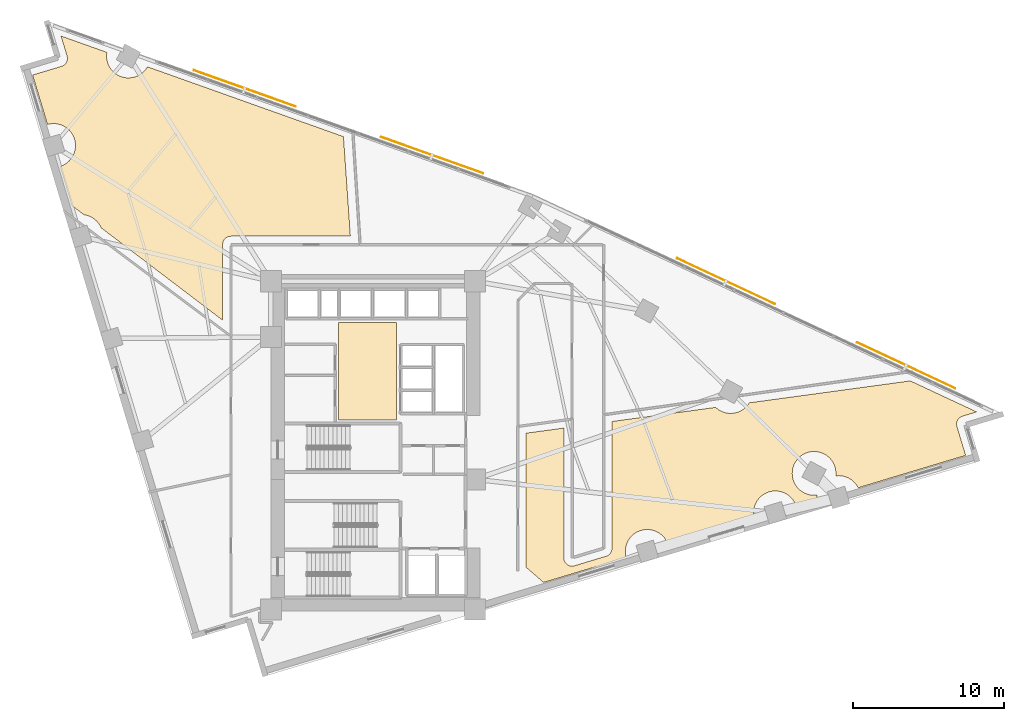
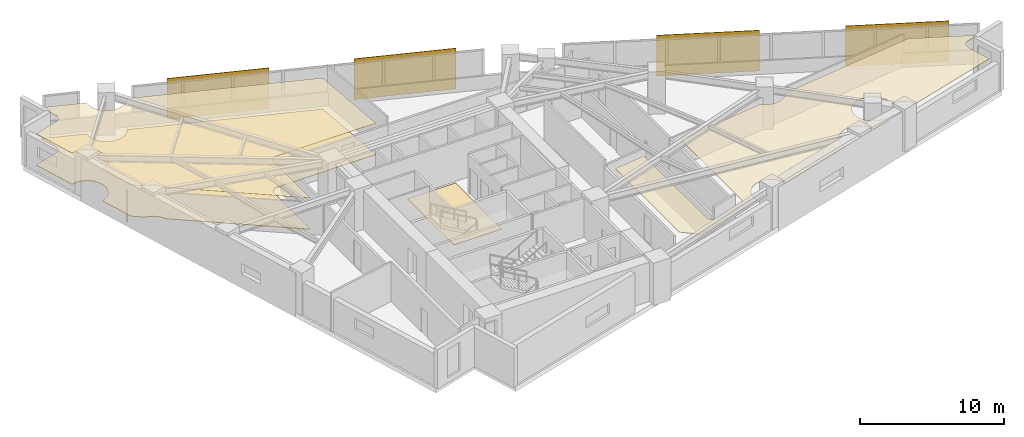
# One storey, part 16 of 16: 4 coverings, 4 shading devices.
"""IFC4 building model written with IfcOpenShell, lengths in metres."""

from ifc_helpers import new_model, si_unit, direction, frame, origin, origin_2d, place, context, subcontext, project, spatial, polyline, rectangle, outline, extrude, material, layer, layer_set, type_object, element, save


model = new_model("IFC4")

# Units and contexts
model_context = context("Model", 3, precision=1e-05, world=origin(), true_north=direction((0.0, 1.0)))
body_context = subcontext(model_context, "Body", "Model", "MODEL_VIEW")
ifc_project = project(units=[si_unit("LENGTHUNIT", "METRE"), si_unit("AREAUNIT", "SQUARE_METRE"), si_unit("VOLUMEUNIT", "CUBIC_METRE"), si_unit("PLANEANGLEUNIT", "RADIAN"), si_unit("MASSUNIT", "GRAM", prefix="KILO")], contexts=[model_context])

# Site, building, storey
site_placement = place(None, origin())
site = spatial("IfcSite", under=ifc_project, at=site_placement, CompositionType="ELEMENT")
building_placement = place(site_placement, origin())
building = spatial("IfcBuilding", under=site, at=building_placement, Name="Narakoshi Arena Tower", CompositionType="ELEMENT")
storey_placement = place(building_placement, frame((0.0, 0.0, 132.300048828125)))
storey = spatial("IfcBuildingStorey", under=building, at=storey_placement, Name="L35", CompositionType="ELEMENT", Elevation=132.300048828125)

# Coverings
ifc_material_1 = material(Name="Acoustic mineral-fibre ceiling tile")
ifc_layer_1 = layer(ifc_material_1, 0.02001953125)
ifc_layer_set_1 = layer_set([ifc_layer_1], Name="Acoustic mineral-fibre ceiling tile")
covering_type_1 = type_object("IfcCoveringType", Name="COV-CLG-AC20", PredefinedType="CEILING", material=ifc_layer_set_1)
covering_1_placement = place(storey_placement, frame((0.0, 0.0, 2.669921875)))
element("IfcCovering", 1, at=covering_1_placement, inside=storey, type_object=covering_type_1, Name="L35 Suspended Acoustic Ceiling 1", PredefinedType="CEILING", context=body_context, shape_type="SweptSolid", body=[
    extrude(outline(polyline([(58.1015625, 70.76611328125), (58.15234375, 70.7841796875), (58.201171875, 70.80712890625), (58.24755859375, 70.834716796875), (58.291015625, 70.86669921875), (58.3310546875, 70.903076171875), (58.367431640625, 70.94287109375), (58.399658203125, 70.986083984375), (58.427490234375, 71.032470703125), (58.45068359375, 71.0810546875), (58.468994140625, 71.1318359375), (58.482177734375, 71.18408203125), (58.490234375, 71.237548828125), (58.492919921875, 71.29150390625), (58.490478515625, 71.345458984375), (58.482666015625, 71.398681640625), (58.4697265625, 71.451171875), (58.070068359375, 72.77880859375), (61.1171875, 71.693603515625), (61.102294921875, 71.59228515625), (61.09521484375, 71.4501953125), (61.102294921875, 71.30810546875), (61.123046875, 71.16748046875), (61.15771484375, 71.029296875), (61.20556640625, 70.8955078125), (61.266357421875, 70.766845703125), (61.339599609375, 70.644775390625), (61.42431640625, 70.530517578125), (61.52001953125, 70.425048828125), (61.625244140625, 70.329345703125), (61.739501953125, 70.24462890625), (61.86181640625, 70.17138671875), (61.990234375, 70.110595703125), (62.124267578125, 70.062744140625), (62.26220703125, 70.0283203125), (62.403076171875, 70.00732421875), (62.545166015625, 70.000244140625), (62.687255859375, 70.00732421875), (62.828125, 70.0283203125), (62.966064453125, 70.062744140625), (63.10009765625, 70.110595703125), (63.228759765625, 70.17138671875), (63.350830078125, 70.24462890625), (63.465087890625, 70.329345703125), (63.570556640625, 70.425048828125), (63.666015625, 70.530517578125), (63.750732421875, 70.644775390625), (63.8056640625, 70.736083984375), (76.821044921875, 66.100341796875), (77.27783203125, 59.487060546875), (69.353759765625, 59.487060546875), (69.2998046875, 59.484375), (69.24658203125, 59.476318359375), (69.194091796875, 59.46337890625), (69.143310546875, 59.445068359375), (69.094482421875, 59.422119140625), (69.048095703125, 59.394287109375), (69.0048828125, 59.3623046875), (68.96484375, 59.325927734375), (68.9287109375, 59.285888671875), (68.896484375, 59.24267578125), (68.86865234375, 59.1962890625), (68.845703125, 59.1474609375), (68.827392578125, 59.0966796875), (68.814453125, 59.044189453125), (68.806396484375, 58.990966796875), (68.8037109375, 58.93701171875), (68.8037109375, 53.907470703125), (60.73095703125, 60.046142578125), (60.6748046875, 60.164794921875), (60.6015625, 60.286865234375), (60.516845703125, 60.401123046875), (60.42138671875, 60.506591796875), (60.31591796875, 60.60205078125), (60.20166015625, 60.686767578125), (60.07958984375, 60.760009765625), (59.950927734375, 60.82080078125), (59.81689453125, 60.868896484375), (59.678955078125, 60.9033203125), (59.585205078125, 60.917236328125), (58.79296875, 61.519775390625), (58.00830078125, 64.126953125), (58.1357421875, 64.172607421875), (58.264404296875, 64.2333984375), (58.386474609375, 64.306396484375), (58.500732421875, 64.39111328125), (58.606201171875, 64.48681640625), (58.701904296875, 64.59228515625), (58.78662109375, 64.70654296875), (58.859619140625, 64.82861328125), (58.92041015625, 64.957275390625), (58.968505859375, 65.09130859375), (59.0029296875, 65.229248046875), (59.02392578125, 65.3701171875), (59.031005859375, 65.51220703125), (59.02392578125, 65.654296875), (59.0029296875, 65.794921875), (58.968505859375, 65.93310546875), (58.92041015625, 66.06689453125), (58.859619140625, 66.195556640625), (58.78662109375, 66.317626953125), (58.701904296875, 66.431884765625), (58.606201171875, 66.537353515625), (58.500732421875, 66.633056640625), (58.386474609375, 66.7177734375), (58.264404296875, 66.791015625), (58.1357421875, 66.851806640625), (58.001708984375, 66.899658203125), (57.86376953125, 66.93408203125), (57.722900390625, 66.955078125), (57.580810546875, 66.962158203125), (57.438720703125, 66.955078125), (57.298095703125, 66.93408203125), (57.1728515625, 66.90283203125), (56.183837890625, 70.18896484375), (58.1015625, 70.76611328125)])), origin(), (0.0, 0.0, 1.0), 0.02001953125),
])
ifc_material_2 = material(Name="Slatted oak acoustic timber baffle", Category="wood")
ifc_layer_2 = layer(ifc_material_2, 0.034912109375)
ifc_layer_set_2 = layer_set([ifc_layer_2], Name="Slatted oak acoustic timber baffle")
covering_type_2 = type_object("IfcCoveringType", Name="COV-CLG-WD35", PredefinedType="CEILING", material=ifc_layer_set_2)
covering_2_placement = place(storey_placement, frame((0.0, 0.0, 2.655029296875)))
element("IfcCovering", 2, at=covering_2_placement, inside=storey, type_object=covering_type_2, Name="L35 Suspended Acoustic Ceiling 2", PredefinedType="CEILING", context=body_context, shape_type="SweptSolid", body=[
    extrude(outline(polyline([(117.9150390625, 47.540771484375), (117.8642578125, 47.522705078125), (117.8154296875, 47.499755859375), (117.76904296875, 47.47216796875), (117.7255859375, 47.43994140625), (117.685546875, 47.40380859375), (117.649169921875, 47.364013671875), (117.616943359375, 47.32080078125), (117.589111328125, 47.2744140625), (117.56591796875, 47.2255859375), (117.547607421875, 47.1748046875), (117.534423828125, 47.12255859375), (117.5263671875, 47.069091796875), (117.523681640625, 47.015380859375), (117.526123046875, 46.96142578125), (117.533935546875, 46.907958984375), (117.546875, 46.855712890625), (118.1240234375, 44.93798828125), (110.98681640625, 42.789794921875), (110.971435546875, 42.82275390625), (110.898193359375, 42.94482421875), (110.8134765625, 43.05908203125), (110.718017578125, 43.16455078125), (110.612548828125, 43.260009765625), (110.498291015625, 43.3447265625), (110.376220703125, 43.41796875), (110.24755859375, 43.478759765625), (110.113525390625, 43.52685546875), (109.9755859375, 43.561279296875), (109.834716796875, 43.582275390625), (109.692626953125, 43.589111328125), (109.550537109375, 43.582275390625), (109.5, 43.57470703125), (109.504150390625, 43.603515625), (109.51123046875, 43.74560546875), (109.504150390625, 43.8876953125), (109.4833984375, 44.0283203125), (109.44873046875, 44.16650390625), (109.40087890625, 44.30029296875), (109.340087890625, 44.428955078125), (109.266845703125, 44.551025390625), (109.18212890625, 44.665283203125), (109.08642578125, 44.770751953125), (108.981201171875, 44.866455078125), (108.86669921875, 44.951171875), (108.74462890625, 45.0244140625), (108.6162109375, 45.085205078125), (108.482177734375, 45.133056640625), (108.343994140625, 45.16748046875), (108.203369140625, 45.1884765625), (108.061279296875, 45.195556640625), (107.919189453125, 45.1884765625), (107.7783203125, 45.16748046875), (107.640380859375, 45.133056640625), (107.50634765625, 45.085205078125), (107.377685546875, 45.0244140625), (107.255615234375, 44.951171875), (107.141357421875, 44.866455078125), (107.035888671875, 44.770751953125), (106.940185546875, 44.665283203125), (106.855712890625, 44.551025390625), (106.782470703125, 44.428955078125), (106.7216796875, 44.30029296875), (106.673583984375, 44.16650390625), (106.63916015625, 44.0283203125), (106.6181640625, 43.8876953125), (106.611083984375, 43.74560546875), (106.6181640625, 43.603515625), (106.63916015625, 43.462646484375), (106.673583984375, 43.32470703125), (106.7216796875, 43.190673828125), (106.782470703125, 43.06201171875), (106.855712890625, 42.93994140625), (106.940185546875, 42.82568359375), (107.035888671875, 42.72021484375), (107.141357421875, 42.62451171875), (107.255615234375, 42.539794921875), (107.377685546875, 42.466796875), (107.50634765625, 42.406005859375), (107.640380859375, 42.35791015625), (107.7783203125, 42.323486328125), (107.919189453125, 42.302490234375), (108.061279296875, 42.29541015625), (108.203369140625, 42.302490234375), (108.25390625, 42.31005859375), (108.24951171875, 42.28125), (108.24267578125, 42.13916015625), (108.24951171875, 41.9970703125), (108.25390625, 41.96728515625), (106.87890625, 41.553466796875), (106.833251953125, 41.680908203125), (106.7724609375, 41.8095703125), (106.69921875, 41.931640625), (106.614501953125, 42.0458984375), (106.51904296875, 42.1513671875), (106.41357421875, 42.2470703125), (106.29931640625, 42.331787109375), (106.17724609375, 42.40478515625), (106.048583984375, 42.4658203125), (105.91455078125, 42.513671875), (105.776611328125, 42.548095703125), (105.6357421875, 42.569091796875), (105.49365234375, 42.576171875), (105.3515625, 42.569091796875), (105.210693359375, 42.548095703125), (105.07275390625, 42.513671875), (104.938720703125, 42.4658203125), (104.810302734375, 42.40478515625), (104.68798828125, 42.331787109375), (104.57373046875, 42.2470703125), (104.468505859375, 42.1513671875), (104.372802734375, 42.0458984375), (104.2880859375, 41.931640625), (104.21484375, 41.8095703125), (104.154052734375, 41.680908203125), (104.106201171875, 41.547119140625), (104.071533203125, 41.408935546875), (104.05078125, 41.268310546875), (104.043701171875, 41.126220703125), (104.05078125, 40.98388671875), (104.071533203125, 40.84326171875), (104.102783203125, 40.718017578125), (98.369873046875, 38.99267578125), (98.32421875, 39.1201171875), (98.26318359375, 39.248779296875), (98.190185546875, 39.370849609375), (98.10546875, 39.485107421875), (98.009765625, 39.590576171875), (97.904296875, 39.68603515625), (97.7900390625, 39.770751953125), (97.66796875, 39.843994140625), (97.539306640625, 39.90478515625), (97.405517578125, 39.952880859375), (97.267333984375, 39.9873046875), (97.126708984375, 40.00830078125), (96.984619140625, 40.01513671875), (96.84228515625, 40.00830078125), (96.70166015625, 39.9873046875), (96.563720703125, 39.952880859375), (96.4296875, 39.90478515625), (96.301025390625, 39.843994140625), (96.178955078125, 39.770751953125), (96.064697265625, 39.68603515625), (95.959228515625, 39.590576171875), (95.863525390625, 39.485107421875), (95.77880859375, 39.370849609375), (95.705810546875, 39.248779296875), (95.64501953125, 39.1201171875), (95.596923828125, 38.986083984375), (95.5625, 38.84814453125), (95.54150390625, 38.707275390625), (95.534423828125, 38.565185546875), (95.54150390625, 38.423095703125), (95.5625, 38.2822265625), (95.59375, 38.156982421875), (90.10107421875, 36.50390625), (88.949951171875, 37.50634765625), (88.949951171875, 46.414306640625), (91.4462890625, 46.75390625), (91.4462890625, 38.139404296875), (91.448974609375, 38.085693359375), (91.456787109375, 38.0322265625), (91.469970703125, 37.97998046875), (91.488037109375, 37.92919921875), (91.510986328125, 37.880615234375), (91.538818359375, 37.834228515625), (91.57080078125, 37.791015625), (91.60693359375, 37.7509765625), (91.64697265625, 37.714599609375), (91.690185546875, 37.6826171875), (91.736328125, 37.65478515625), (91.78515625, 37.631591796875), (91.8359375, 37.61328125), (91.88818359375, 37.60009765625), (91.94140625, 37.59228515625), (91.995361328125, 37.589599609375), (92.049072265625, 37.592041015625), (92.1025390625, 37.599853515625), (92.15478515625, 37.61279296875), (93.90966796875, 38.14111328125), (94.062255859375, 38.18701171875), (94.2548828125, 38.244873046875), (94.3056640625, 38.262939453125), (94.3544921875, 38.285888671875), (94.40087890625, 38.313720703125), (94.444580078125, 38.345703125), (94.484619140625, 38.382080078125), (94.52099609375, 38.422119140625), (94.55322265625, 38.465576171875), (94.5810546875, 38.51171875), (94.604248046875, 38.560791015625), (94.622314453125, 38.611572265625), (94.635498046875, 38.6640625), (94.6435546875, 38.717529296875), (94.646240234375, 38.771484375), (94.646240234375, 47.189453125), (101.52783203125, 48.1259765625), (101.602294921875, 48.058349609375), (101.716552734375, 47.9736328125), (101.838623046875, 47.900390625), (101.96728515625, 47.839599609375), (102.101318359375, 47.791748046875), (102.2392578125, 47.757080078125), (102.3798828125, 47.736328125), (102.522216796875, 47.729248046875), (102.664306640625, 47.736328125), (102.804931640625, 47.757080078125), (102.943115234375, 47.791748046875), (103.076904296875, 47.839599609375), (103.20556640625, 47.900390625), (103.32763671875, 47.9736328125), (103.44189453125, 48.058349609375), (103.54736328125, 48.154052734375), (103.64306640625, 48.259521484375), (103.727783203125, 48.373779296875), (103.761474609375, 48.429931640625), (114.449462890625, 49.884521484375), (118.8564453125, 47.823974609375), (117.9150390625, 47.540771484375)])), origin(), (0.0, 0.0, 1.0), 0.034912109375),
])
ifc_material_3 = material(Name="Raised steel access floor panel", Category="steel")
ifc_layer_3 = layer(ifc_material_3, 0.044921875)
ifc_layer_set_3 = layer_set([ifc_layer_3], Name="Raised steel access floor panel")
covering_type_3 = type_object("IfcCoveringType", Name="COV-FLR-RF45", PredefinedType="FLOORING", material=ifc_layer_set_3)
covering_3_placement = place(storey_placement, origin())
element("IfcCovering", 3, at=covering_3_placement, inside=storey, type_object=covering_type_3, Name="L35 Raised Steel Access Floor", PredefinedType="FLOORING", context=body_context, shape_type="SweptSolid", body=[
    extrude(outline(polyline([(58.1015625, 70.76611328125), (58.15234375, 70.7841796875), (58.201171875, 70.80712890625), (58.24755859375, 70.834716796875), (58.291015625, 70.86669921875), (58.3310546875, 70.903076171875), (58.367431640625, 70.94287109375), (58.399658203125, 70.986083984375), (58.427490234375, 71.032470703125), (58.45068359375, 71.0810546875), (58.468994140625, 71.1318359375), (58.482177734375, 71.18408203125), (58.490234375, 71.237548828125), (58.492919921875, 71.29150390625), (58.490478515625, 71.345458984375), (58.482666015625, 71.398681640625), (58.4697265625, 71.451171875), (58.070068359375, 72.77880859375), (61.1171875, 71.693603515625), (61.102294921875, 71.59228515625), (61.09521484375, 71.4501953125), (61.102294921875, 71.30810546875), (61.123046875, 71.16748046875), (61.15771484375, 71.029296875), (61.20556640625, 70.8955078125), (61.266357421875, 70.766845703125), (61.339599609375, 70.644775390625), (61.42431640625, 70.530517578125), (61.52001953125, 70.425048828125), (61.625244140625, 70.329345703125), (61.739501953125, 70.24462890625), (61.86181640625, 70.17138671875), (61.990234375, 70.110595703125), (62.124267578125, 70.062744140625), (62.26220703125, 70.0283203125), (62.403076171875, 70.00732421875), (62.545166015625, 70.000244140625), (62.687255859375, 70.00732421875), (62.828125, 70.0283203125), (62.966064453125, 70.062744140625), (63.10009765625, 70.110595703125), (63.228759765625, 70.17138671875), (63.350830078125, 70.24462890625), (63.465087890625, 70.329345703125), (63.570556640625, 70.425048828125), (63.666015625, 70.530517578125), (63.750732421875, 70.644775390625), (63.8056640625, 70.736083984375), (76.821044921875, 66.100341796875), (77.27783203125, 59.487060546875), (69.353759765625, 59.487060546875), (69.2998046875, 59.484375), (69.24658203125, 59.476318359375), (69.194091796875, 59.46337890625), (69.143310546875, 59.445068359375), (69.094482421875, 59.422119140625), (69.048095703125, 59.394287109375), (69.0048828125, 59.3623046875), (68.96484375, 59.325927734375), (68.9287109375, 59.285888671875), (68.896484375, 59.24267578125), (68.86865234375, 59.1962890625), (68.845703125, 59.1474609375), (68.827392578125, 59.0966796875), (68.814453125, 59.044189453125), (68.806396484375, 58.990966796875), (68.8037109375, 58.93701171875), (68.8037109375, 53.907470703125), (60.73095703125, 60.046142578125), (60.6748046875, 60.164794921875), (60.6015625, 60.286865234375), (60.516845703125, 60.401123046875), (60.42138671875, 60.506591796875), (60.31591796875, 60.60205078125), (60.20166015625, 60.686767578125), (60.07958984375, 60.760009765625), (59.950927734375, 60.82080078125), (59.81689453125, 60.868896484375), (59.678955078125, 60.9033203125), (59.585205078125, 60.917236328125), (58.79296875, 61.519775390625), (58.00830078125, 64.126953125), (58.1357421875, 64.172607421875), (58.264404296875, 64.2333984375), (58.386474609375, 64.306396484375), (58.500732421875, 64.39111328125), (58.606201171875, 64.48681640625), (58.701904296875, 64.59228515625), (58.78662109375, 64.70654296875), (58.859619140625, 64.82861328125), (58.92041015625, 64.957275390625), (58.968505859375, 65.09130859375), (59.0029296875, 65.229248046875), (59.02392578125, 65.3701171875), (59.031005859375, 65.51220703125), (59.02392578125, 65.654296875), (59.0029296875, 65.794921875), (58.968505859375, 65.93310546875), (58.92041015625, 66.06689453125), (58.859619140625, 66.195556640625), (58.78662109375, 66.317626953125), (58.701904296875, 66.431884765625), (58.606201171875, 66.537353515625), (58.500732421875, 66.633056640625), (58.386474609375, 66.7177734375), (58.264404296875, 66.791015625), (58.1357421875, 66.851806640625), (58.001708984375, 66.899658203125), (57.86376953125, 66.93408203125), (57.722900390625, 66.955078125), (57.580810546875, 66.962158203125), (57.438720703125, 66.955078125), (57.298095703125, 66.93408203125), (57.1728515625, 66.90283203125), (56.183837890625, 70.18896484375), (58.1015625, 70.76611328125)])), origin(), (0.0, 0.0, 1.0), 0.044921875),
])
ifc_material_4 = material(Name="Honed granite stone paving", Category="masonry")
ifc_layer_4 = layer(ifc_material_4, 0.030029296875)
ifc_layer_set_4 = layer_set([ifc_layer_4], Name="Honed granite stone paving")
covering_type_4 = type_object("IfcCoveringType", Name="COV-FLR-ST30", PredefinedType="FLOORING", material=ifc_layer_set_4)
covering_4_placement = place(storey_placement, origin())
element("IfcCovering", 4, at=covering_4_placement, inside=storey, type_object=covering_type_4, Name="L35 Lift Lobby Granite Flooring", PredefinedType="FLOORING", context=body_context, shape_type="SweptSolid", body=[
    extrude(outline(polyline([(76.5, 47.300048828125), (80.35009765625, 47.300048828125), (80.35009765625, 53.75), (76.5, 53.75), (76.5, 47.300048828125)])), origin(), (0.0, 0.0, 1.0), 0.030029296875),
])

# Shading devices
ifc_material_5 = material(Name="Perforated bronze ceramic-metal composite")
ifc_layer_5 = layer(ifc_material_5, 0.044921875)
ifc_layer_set_5 = layer_set([ifc_layer_5], Name="Perforated bronze ceramic-metal composite")
shading_device_type = type_object("IfcShadingDeviceType", Name="SHD-SCR-BRZ1", PredefinedType="USERDEFINED", material=ifc_layer_set_5)
for number, where, z_axis, x_axis, name in (
    (5, (114.172607421875, 50.910888671875, 0.0), (0.0, 0.0, 1.0), (-0.9058795101, 0.423535492234, 0.0), "L35 Perforated Bronze Solar Screen 1-1"),
    (6, (102.21484375, 56.50146484375, 0.0), (0.0, 0.0, 1.0), (-0.9058795101, 0.423535492234, 0.0), "L35 Perforated Bronze Solar Screen 1-2"),
    (7, (82.70068359375, 64.868896484375, 0.0), (0.0, 0.0, 1.0), (-0.942034031554, 0.33551733695, 0.0), "L35 Perforated Bronze Solar Screen 2-1"),
    (8, (70.265869140625, 69.297607421875, 0.0), (0.0, 0.0, 1.0), (-0.942034031554, 0.33551733695, 0.0), "L35 Perforated Bronze Solar Screen 2-2"),
):
    element("IfcShadingDevice", number, at=place(storey_placement, frame(where, z_axis=z_axis, x_axis=x_axis)), inside=storey, type_object=shading_device_type, Name=name, ObjectType="SOLAR SCREEN", PredefinedType="USERDEFINED", context=body_context, shape_type="SweptSolid", body=[
        extrude(rectangle(XDim=7.199951171875, YDim=0.044921875, at=origin_2d()), origin(), (0.0, 0.0, 1.0), 3.449951171875),
    ])

save(model, "model.ifc")
